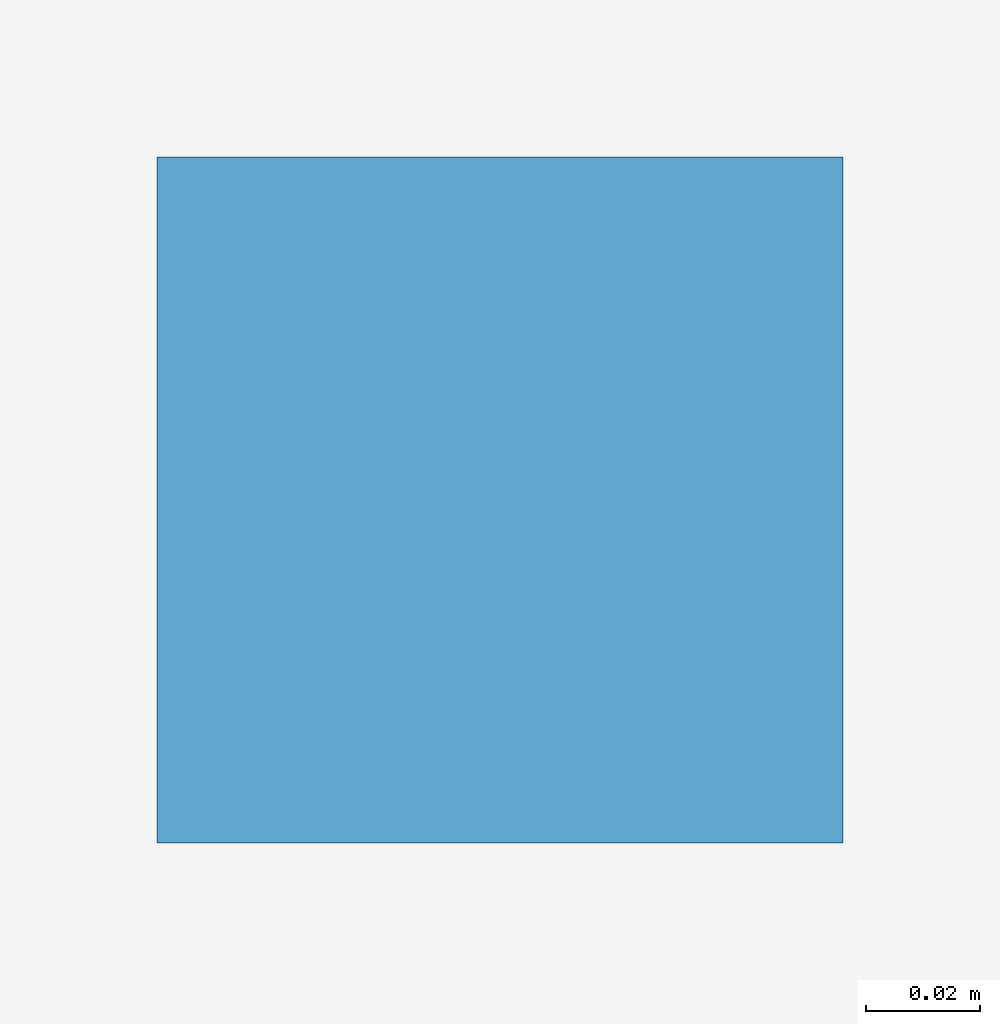
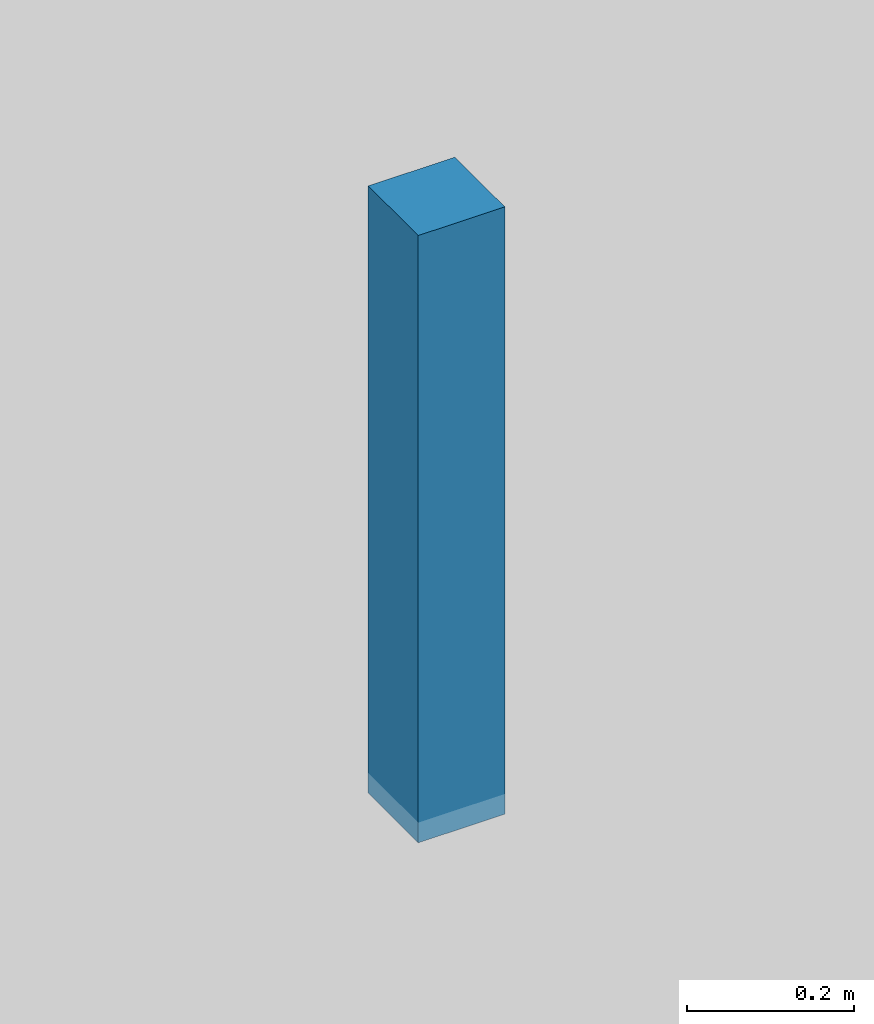
# One storey, part 154 of 193: 1 discrete accessory.
"""IFC4 building model written with IfcOpenShell, lengths in metres."""

from ifc_helpers import new_model, si_unit, direction, frame, origin, origin_2d, place, context, subcontext, project, spatial, rectangle, extrude, material, type_object, element, save


model = new_model("IFC4")

# Units and contexts
model_context = context("Model", 3, precision=1e-05, world=origin(), true_north=direction((0.0, 1.0)))
body_context = subcontext(model_context, "Body", "Model", "MODEL_VIEW")
ifc_project = project(units=[si_unit("LENGTHUNIT", "METRE"), si_unit("AREAUNIT", "SQUARE_METRE"), si_unit("VOLUMEUNIT", "CUBIC_METRE"), si_unit("PLANEANGLEUNIT", "RADIAN"), si_unit("MASSUNIT", "GRAM", prefix="KILO")], contexts=[model_context])

# Site, building, storey
site_placement = place(None, origin())
site = spatial("IfcSite", under=ifc_project, at=site_placement, CompositionType="ELEMENT")
building_placement = place(site_placement, origin())
building = spatial("IfcBuilding", under=site, at=building_placement, Name="Cendralis Lancet Convention Centre", CompositionType="ELEMENT")
storey_placement = place(building_placement, frame((0.0, 0.0, 10.199951171875)))
storey = spatial("IfcBuildingStorey", under=building, at=storey_placement, Name="L02", CompositionType="ELEMENT", Elevation=10.199951171875)

# Discrete accessory
ifc_material = material(Name="Steel S355", Category="steel")
discrete_accessory_type = type_object("IfcDiscreteAccessoryType", Name="ARC-BRK-CLG", PredefinedType="BRACKET", material=ifc_material)
discrete_accessory_placement = place(storey_placement, frame((63.0, 10.800048828125, 3.68994140625), z_axis=(0.0, 0.0, 1.0), x_axis=(1.0, 0.0, 0.0)))
element("IfcDiscreteAccessory", 1, at=discrete_accessory_placement, inside=storey, type_object=discrete_accessory_type, Name="L02 Ceiling Suspension Bracket #09-1", PredefinedType="BRACKET", context=body_context, shape_type="SweptSolid", body=[
    extrude(rectangle(XDim=0.1201171875, YDim=0.1201171875, at=origin_2d()), origin(), (0.0, 0.0, 1.0), 0.889892578125),
])

save(model, "model.ifc")
